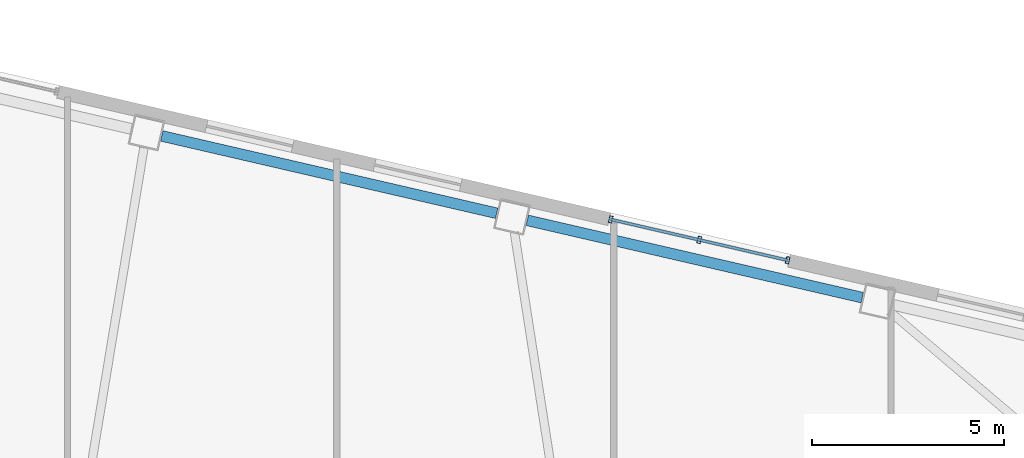
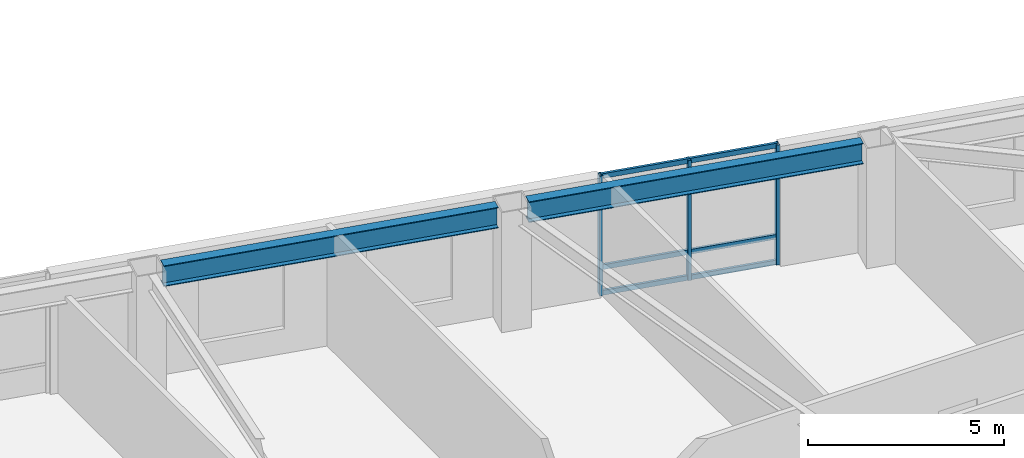
# One storey, part 6 of 18: 6 members, 2 beams, 1 element without a shape of its own.
"""IFC4 building model written with IfcOpenShell, lengths in metres."""

import ifcopenshell
import ifcopenshell.guid

model = None  # the IFC model being written
_history = None  # IfcOwnerHistory: only IFC2X3 demands one
_inside = {}  # id of a spatial element -> (the spatial element, [elements in it])
_under = {}  # id of a project, library or spatial element -> (it, [spatial elements below it])
_declared = {}  # id of a project -> (the project, [libraries it declares])
_typed = {}  # id of a type object -> (the type object, [elements of that type])
_made_of = {}  # id of a material, layer set ... -> (it, [elements and type objects made of it])


def new_model(schema):
    """Start an empty IFC model of exactly this schema.

    Asked for "IFC4X3", IfcOpenShell would pick the latest addendum, in which some entities
    have other attributes; the version numbers below select the first issue.
    IFC2X3 requires an IfcOwnerHistory on every rooted entity: one is made here for all.
    """
    global model, _history
    if schema == "IFC4X3":
        model = ifcopenshell.file(schema_version=(4, 3, 0, 0))
    else:
        model = ifcopenshell.file(schema=schema)
    _inside.clear()
    _under.clear()
    _declared.clear()
    _typed.clear()
    _made_of.clear()
    _history = None
    if model.schema == "IFC2X3":
        org = make("IfcOrganization", Name="unknown")
        user = make(
            "IfcPersonAndOrganization",
            ThePerson=make("IfcPerson", FamilyName="unknown"),
            TheOrganization=org,
        )
        app = make(
            "IfcApplication",
            ApplicationDeveloper=org,
            Version="unknown",
            ApplicationFullName="unknown",
            ApplicationIdentifier="unknown",
        )
        _history = make(
            "IfcOwnerHistory",
            OwningUser=user,
            OwningApplication=app,
            ChangeAction="ADDED",
            CreationDate=0,
        )
    return model


def make(cls, **values):
    """One entity of the class cls with the attributes given. An attribute that is None is left unset."""
    return model.create_entity(
        cls, **{name: value for name, value in values.items() if value is not None}
    )


def rooted(cls, **values):
    """An entity with a GlobalId (a new one), such as an element, a storey or a relation."""
    return make(cls, GlobalId=ifcopenshell.guid.new(), OwnerHistory=_history, **values)


def si_unit(unit_type, name, prefix=None):
    """IfcSIUnit, for example si_unit("LENGTHUNIT", "METRE", prefix="MILLI")."""
    return make("IfcSIUnit", UnitType=unit_type, Prefix=prefix, Name=name)


def assignment(units):
    """IfcUnitAssignment: the units of a project."""
    return None if units is None else make("IfcUnitAssignment", Units=units)


def point(xyz):
    """IfcCartesianPoint."""
    return None if xyz is None else make("IfcCartesianPoint", Coordinates=xyz)


def direction(xyz):
    """IfcDirection."""
    return None if xyz is None else make("IfcDirection", DirectionRatios=xyz)


def frame(location, z_axis=None, x_axis=None):
    """IfcAxis2Placement3D, a coordinate frame: its origin and axes. An axis left out is left unset."""
    return make(
        "IfcAxis2Placement3D",
        Location=point(location),
        Axis=direction(z_axis),
        RefDirection=direction(x_axis),
    )


def frame_2d(location, x_axis=None):
    """IfcAxis2Placement2D, a coordinate frame in the plane: its origin and x axis."""
    return make(
        "IfcAxis2Placement2D", Location=point(location), RefDirection=direction(x_axis)
    )


def origin():
    """The frame at (0, 0, 0) with its axes left unset."""
    return frame((0.0, 0.0, 0.0))


def origin_2d():
    """The frame at (0, 0) in the plane with its x axis left unset."""
    return frame_2d((0.0, 0.0))


def place(relative_to, where):
    """IfcLocalPlacement: puts the frame where relative to a parent placement (None: the world)."""
    return make(
        "IfcLocalPlacement", PlacementRelTo=relative_to, RelativePlacement=where
    )


def context(
    kind, dimensions, precision=None, world=None, true_north=None, identifier=None
):
    """IfcGeometricRepresentationContext, for example the 3D "Model" context."""
    return make(
        "IfcGeometricRepresentationContext",
        ContextIdentifier=identifier,
        ContextType=kind,
        CoordinateSpaceDimension=dimensions,
        Precision=precision,
        WorldCoordinateSystem=world,
        TrueNorth=true_north,
    )


def subcontext(parent, identifier, kind, view, scale=None):
    """IfcGeometricRepresentationSubContext, for example "Body" below "Model"."""
    return make(
        "IfcGeometricRepresentationSubContext",
        ContextIdentifier=identifier,
        ContextType=kind,
        ParentContext=parent,
        TargetScale=scale,
        TargetView=view,
    )


def project(units=None, contexts=None):
    """IfcProject with its units and contexts."""
    return rooted(
        "IfcProject",
        Name="project",
        RepresentationContexts=contexts,
        UnitsInContext=assignment(units),
    )


def spatial(cls, under=None, at=None, **own):
    """A site, building, storey or space (cls), placed at a placement, below another one or the project."""
    s = rooted(cls, ObjectPlacement=at, **own)
    if under is not None:
        _under.setdefault(under.id(), (under, []))[1].append(s)
    return s


def profile(cls, at=None, kind="AREA", **sizes):
    """A parametric profile (cls). Its sizes go by their IFC names, for example OverallWidth=200.0."""
    return make(cls, ProfileType=kind, Position=at, **sizes)


def hollow_rectangle(**sizes):
    """IfcRectangleHollowProfileDef."""
    return profile("IfcRectangleHollowProfileDef", **sizes)


def i_section(**sizes):
    """IfcIShapeProfileDef."""
    return profile("IfcIShapeProfileDef", **sizes)


def extrude(swept, where, along, depth):
    """IfcExtrudedAreaSolid: the profile swept, set in the frame where, extruded along a direction by depth."""
    return make(
        "IfcExtrudedAreaSolid",
        SweptArea=swept,
        Position=where,
        ExtrudedDirection=direction(along),
        Depth=depth,
    )


def shape(context_of_items, identifier, shape_type, items):
    """IfcShapeRepresentation: the items that make up one representation, for example the "Body"."""
    return make(
        "IfcShapeRepresentation",
        ContextOfItems=context_of_items,
        RepresentationIdentifier=identifier,
        RepresentationType=shape_type,
        Items=items,
    )


def material(Name=None, Category=None):
    """IfcMaterial."""
    return make("IfcMaterial", Name=Name, Category=Category)


def layer(
    of_material, thickness, ventilated=None, Name=None, Category=None, Priority=None
):
    """IfcMaterialLayer: one layer of a wall or slab, of a material (None: an air gap)."""
    return make(
        "IfcMaterialLayer",
        Material=of_material,
        LayerThickness=thickness,
        IsVentilated=ventilated,
        Name=Name,
        Category=Category,
        Priority=Priority,
    )


def layer_set(layers, Name=None):
    """IfcMaterialLayerSet."""
    return make("IfcMaterialLayerSet", MaterialLayers=layers, LayerSetName=Name)


def material_profile(
    of_material, cross_section, Name=None, Category=None, Priority=None
):
    """IfcMaterialProfile: a cross section and its material."""
    return make(
        "IfcMaterialProfile",
        Name=Name,
        Material=of_material,
        Profile=cross_section,
        Priority=Priority,
        Category=Category,
    )


def profile_set(profiles, Name=None, composite=None):
    """IfcMaterialProfileSet."""
    return make(
        "IfcMaterialProfileSet",
        Name=Name,
        MaterialProfiles=profiles,
        CompositeProfile=composite,
    )


def made_of(thing, what):
    """Note that an element or type object is made of a material, layer set ...; save() writes the relation."""
    if what is not None:
        _made_of.setdefault(what.id(), (what, []))[1].append(thing)
    return thing


def type_object(cls, material=None, **own):
    """A type object (cls), such as IfcWallType, which elements share."""
    return made_of(rooted(cls, **own), material)


def element(
    cls,
    number,
    at=None,
    inside=None,
    cuts=None,
    type_object=None,
    material=None,
    context=None,
    identifier="Body",
    shape_type=None,
    held_by="IfcProductDefinitionShape",
    body=None,
    shapes=None,
    **own,
):
    """One element of the class cls, such as IfcWall. Its Tag is "e" and its number.

    at: its placement. inside: the storey or other place that contains it. cuts: it is an
    opening in that element (IfcRelVoidsElement). A single representation is given by context,
    identifier, shape_type and body (its items); several are given by shapes. held_by: the class
    of the entity that holds the representations. save() writes the other relations.
    """
    e = rooted(cls, Tag="e%d" % number, ObjectPlacement=at, **own)
    if body is not None:
        shapes = [shape(context, identifier, shape_type, body)]
    if shapes is not None:
        e.Representation = make(held_by, Representations=shapes)
    if inside is not None:
        _inside.setdefault(inside.id(), (inside, []))[1].append(e)
    if cuts is not None:
        rooted(
            "IfcRelVoidsElement", RelatingBuildingElement=cuts, RelatedOpeningElement=e
        )
    if type_object is not None:
        _typed.setdefault(type_object.id(), (type_object, []))[1].append(e)
    return made_of(e, material)


def aggregate(whole, parts):
    """IfcRelAggregates: a whole, such as a stair, and the parts it consists of."""
    return rooted("IfcRelAggregates", RelatingObject=whole, RelatedObjects=parts)


def save(model, path):
    """Write the relations noted so far, then the file.

    IfcRelAggregates (storeys below a building ...), IfcRelContainedInSpatialStructure (elements
    in a storey), IfcRelDefinesByType, IfcRelAssociatesMaterial and IfcRelDeclares: one each for
    every whole, place, type object, material and project.
    """
    for whole, parts in _under.values():
        aggregate(whole, parts)
    for where, things in _inside.values():
        rooted(
            "IfcRelContainedInSpatialStructure",
            RelatedElements=things,
            RelatingStructure=where,
        )
    for kind, things in _typed.values():
        rooted("IfcRelDefinesByType", RelatedObjects=things, RelatingType=kind)
    for what, things in _made_of.values():
        rooted("IfcRelAssociatesMaterial", RelatedObjects=things, RelatingMaterial=what)
    for by, libraries in _declared.values():
        rooted("IfcRelDeclares", RelatingContext=by, RelatedDefinitions=libraries)
    model.write(path)


model = new_model("IFC4")

# Units and contexts
model_context = context("Model", 3, precision=1e-05, world=origin(), true_north=direction((0.0, 1.0)))
body_context = subcontext(model_context, "Body", "Model", "MODEL_VIEW")
ifc_project = project(units=[si_unit("LENGTHUNIT", "METRE"), si_unit("AREAUNIT", "SQUARE_METRE"), si_unit("VOLUMEUNIT", "CUBIC_METRE"), si_unit("PLANEANGLEUNIT", "RADIAN"), si_unit("MASSUNIT", "GRAM", prefix="KILO")], contexts=[model_context])

# Site, building, storey
site_placement = place(None, origin())
site = spatial("IfcSite", under=ifc_project, at=site_placement, CompositionType="ELEMENT")
building_placement = place(site_placement, origin())
building = spatial("IfcBuilding", under=site, at=building_placement, Name="Tavrogorsk Clinical Tower", CompositionType="ELEMENT")
storey_placement = place(building_placement, frame((0.0, 0.0, 47.39990234375)))
storey = spatial("IfcBuildingStorey", under=building, at=storey_placement, Name="L09", CompositionType="ELEMENT", Elevation=47.39990234375)

# Curtain wall, members
ifc_material_1 = material(Name="Anodised aluminium and triple IGU glazing", Category="aluminium")
ifc_layer = layer(ifc_material_1, 0.179931640625)
ifc_layer_set = layer_set([ifc_layer], Name="Anodised aluminium and triple IGU glazing")
curtain_wall_type = type_object("IfcCurtainWallType", Name="CW2_NorthSlot", PredefinedType="NOTDEFINED", material=ifc_layer_set)
curtain_wall_placement = place(storey_placement, origin())
curtain_wall = element("IfcCurtainWall", 1, at=curtain_wall_placement, inside=storey, type_object=curtain_wall_type, Name="L09 Curtain Wall CW-L09-N-SLOT-2", PredefinedType="NOTDEFINED")
ifc_material_2 = material(Name="Anodised aluminium alloy AW-6060", Category="aluminium")
ifc_material_profile_1 = material_profile(ifc_material_2, hollow_rectangle(XDim=0.090087890625, YDim=0.179931640625, WallThickness=0.00634765625, at=origin_2d()), Name="RHS-180x90x6.3")
ifc_profile_set_1 = profile_set([ifc_material_profile_1], Name="Anodised aluminium alloy AW-6060")
member_type_1 = type_object("IfcMemberType", Name="CwMullion_180x90", PredefinedType="MULLION", material=ifc_profile_set_1)
member_1_placement = place(storey_placement, frame((15.117919921875, 20.254638671875, 0.0), z_axis=(0.0, 0.0, 1.0), x_axis=(-0.974370046851, 0.224951132027, 0.0)))
member_1 = element("IfcMember", 2, at=member_1_placement, type_object=member_type_1, Name="CW-L09-N-SLOT-2 Mullion 1", PredefinedType="MULLION", context=body_context, shape_type="SweptSolid", body=[
    extrude(hollow_rectangle(XDim=0.090087890625, YDim=0.179931640625, WallThickness=0.00634765625, at=origin_2d()), origin(), (0.0, 0.0, 1.0), 3.739990234375),
])
member_2_placement = place(storey_placement, frame((12.8193359375, 20.78515625, 0.0), z_axis=(0.0, 0.0, 1.0), x_axis=(-0.974370046851, 0.224951132027, 0.0)))
member_2 = element("IfcMember", 3, at=member_2_placement, type_object=member_type_1, Name="CW-L09-N-SLOT-2 Mullion 2", PredefinedType="MULLION", context=body_context, shape_type="SweptSolid", body=[
    extrude(hollow_rectangle(XDim=0.090087890625, YDim=0.179931640625, WallThickness=0.00634765625, at=origin_2d()), origin(), (0.0, 0.0, 1.0), 3.739990234375),
])
member_3_placement = place(storey_placement, frame((10.520751953125, 21.31591796875, 0.0), z_axis=(0.0, 0.0, 1.0), x_axis=(-0.974370046851, 0.224951132027, 0.0)))
member_3 = element("IfcMember", 4, at=member_3_placement, type_object=member_type_1, Name="CW-L09-N-SLOT-2 Mullion 3", PredefinedType="MULLION", context=body_context, shape_type="SweptSolid", body=[
    extrude(hollow_rectangle(XDim=0.090087890625, YDim=0.179931640625, WallThickness=0.00634765625, at=origin_2d()), origin(), (0.0, 0.0, 1.0), 3.739990234375),
])
ifc_material_3 = material(Name="Anodised aluminium alloy AW-6060", Category="aluminium")
ifc_material_profile_2 = material_profile(ifc_material_3, hollow_rectangle(XDim=0.074951171875, YDim=0.14990234375, WallThickness=0.0048828125, at=origin_2d()), Name="RHS-150x75x5")
ifc_profile_set_2 = profile_set([ifc_material_profile_2], Name="Anodised aluminium alloy AW-6060")
member_type_2 = type_object("IfcMemberType", Name="CwTransom_150x75", PredefinedType="USERDEFINED", material=ifc_profile_set_2)
member_4_placement = place(storey_placement, frame((15.117919921875, 20.254638671875, 0.050048828125), z_axis=(-0.974372877948, 0.22493886885, 0.0), x_axis=(-0.22493886885, -0.974372877948, 0.0)))
member_4 = element("IfcMember", 5, at=member_4_placement, type_object=member_type_2, Name="CW-L09-N-SLOT-2 Transom 1", ObjectType="TRANSOM", PredefinedType="USERDEFINED", context=body_context, shape_type="SweptSolid", body=[
    extrude(hollow_rectangle(XDim=0.074951171875, YDim=0.14990234375, WallThickness=0.0048828125, at=origin_2d()), origin(), (0.0, 0.0, 1.0), 4.718017578125),
])
member_5_placement = place(storey_placement, frame((15.117919921875, 20.254638671875, 0.85009765625), z_axis=(-0.974372877948, 0.22493886885, 0.0), x_axis=(-0.22493886885, -0.974372877948, 0.0)))
member_5 = element("IfcMember", 6, at=member_5_placement, type_object=member_type_2, Name="CW-L09-N-SLOT-2 Transom 2", ObjectType="TRANSOM", PredefinedType="USERDEFINED", context=body_context, shape_type="SweptSolid", body=[
    extrude(hollow_rectangle(XDim=0.074951171875, YDim=0.14990234375, WallThickness=0.0048828125, at=origin_2d()), origin(), (0.0, 0.0, 1.0), 4.718017578125),
])
member_6_placement = place(storey_placement, frame((15.117919921875, 20.254638671875, 3.690185546875), z_axis=(-0.974372877948, 0.22493886885, 0.0), x_axis=(-0.22493886885, -0.974372877948, 0.0)))
member_6 = element("IfcMember", 7, at=member_6_placement, type_object=member_type_2, Name="CW-L09-N-SLOT-2 Transom 3", ObjectType="TRANSOM", PredefinedType="USERDEFINED", context=body_context, shape_type="SweptSolid", body=[
    extrude(hollow_rectangle(XDim=0.074951171875, YDim=0.14990234375, WallThickness=0.0048828125, at=origin_2d()), origin(), (0.0, 0.0, 1.0), 4.718017578125),
])
aggregate(curtain_wall, [member_1, member_2, member_3, member_4, member_5, member_6])

# Beams
ifc_material_4 = material(Name="Structural steel S390", Category="steel")
ifc_material_profile_3 = material_profile(ifc_material_4, i_section(OverallWidth=0.280029296875, OverallDepth=0.64990234375, WebThickness=0.01611328125, FlangeThickness=0.02490234375, at=origin_2d()), Name="B-650x280x16x25")
ifc_profile_set_3 = profile_set([ifc_material_profile_3], Name="Structural steel S390")
beam_type = type_object("IfcBeamType", Name="SpandrelBeam_B650", PredefinedType="SPANDREL", material=ifc_profile_set_3)
for number, where, z_axis, x_axis, name in (
    (8, (17.056396484375, 19.28369140625, 3.4150390625), (-0.974372766602, 0.224939351168, 0.0), (-0.224939351168, -0.974372766602, 0.0), "L09 Perimeter Spandrel N3-N4"),
    (9, (7.5576171875, 21.4765625, 3.4150390625), (-0.974366775889, 0.224965299645, 0.0), (-0.224965299645, -0.974366775889, 0.0), "L09 Perimeter Spandrel N4-N5"),
):
    element("IfcBeam", number, at=place(storey_placement, frame(where, z_axis=z_axis, x_axis=x_axis)), inside=storey, type_object=beam_type, Name=name, PredefinedType="SPANDREL", context=body_context, shape_type="SweptSolid", body=[
        extrude(i_section(OverallWidth=0.280029296875, OverallDepth=0.64990234375, WebThickness=0.01611328125, FlangeThickness=0.02490234375, at=origin_2d()), origin(), (0.0, 0.0, 1.0), 8.9326171875),
    ])

save(model, "model.ifc")
